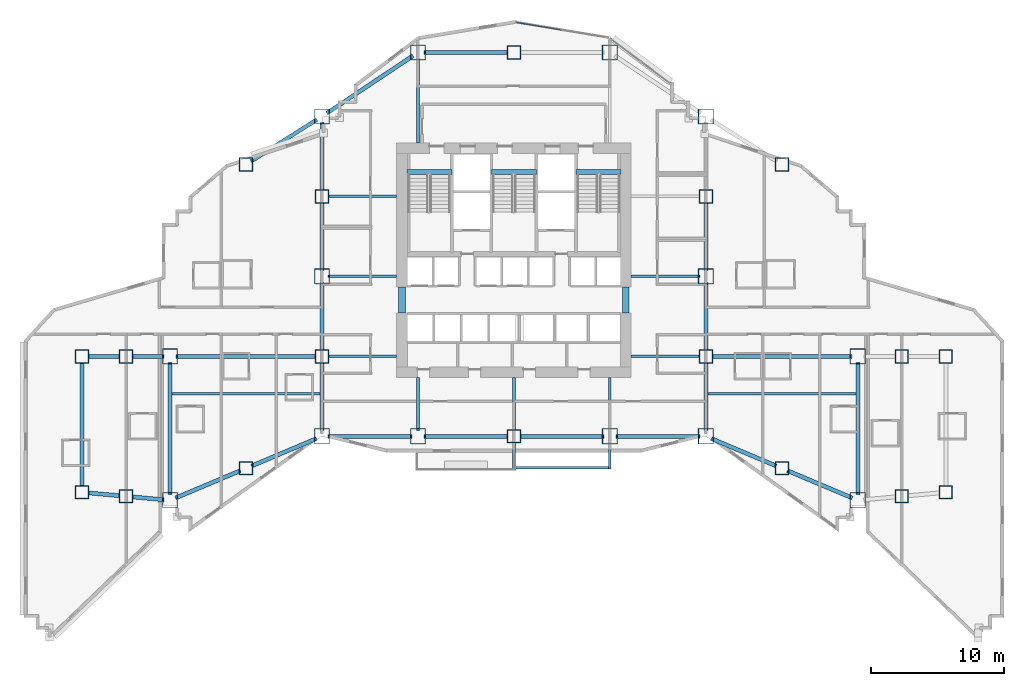
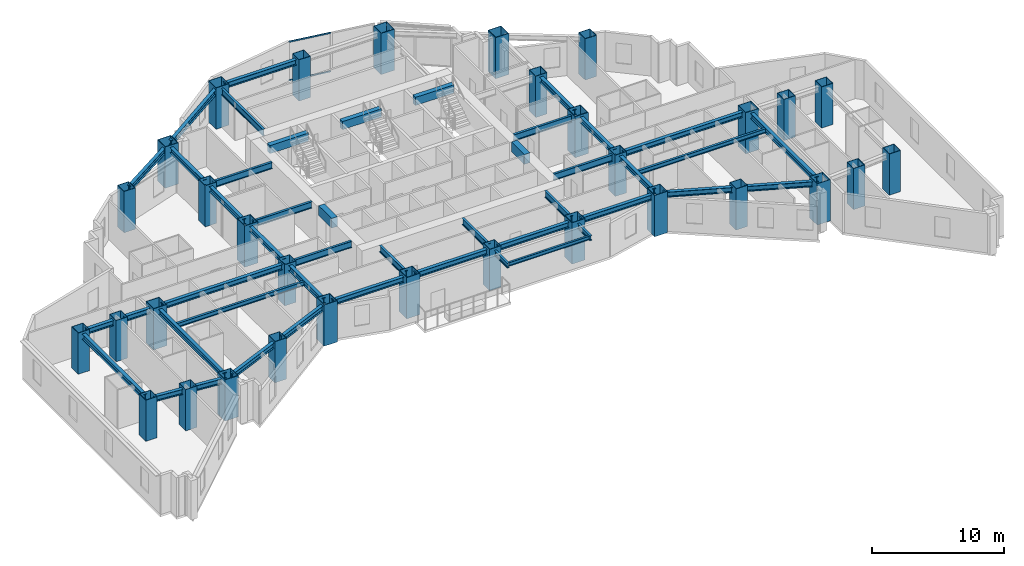
# One storey, part 1 of 17: 46 beams, 32 columns, 2 members, 1 element without a shape of its own.
"""IFC4 building model written with IfcOpenShell, lengths in metres."""

from ifc_helpers import new_model, si_unit, direction, frame, origin, origin_2d, place, context, subcontext, project, spatial, rectangle, hollow_rectangle, i_section, extrude, material, layer, layer_set, material_profile, profile_set, type_object, element, aggregate, save


model = new_model("IFC4")

# Units and contexts
model_context = context("Model", 3, precision=1e-05, world=origin(), true_north=direction((0.0, 1.0)))
body_context = subcontext(model_context, "Body", "Model", "MODEL_VIEW")
ifc_project = project(units=[si_unit("LENGTHUNIT", "METRE"), si_unit("AREAUNIT", "SQUARE_METRE"), si_unit("VOLUMEUNIT", "CUBIC_METRE"), si_unit("PLANEANGLEUNIT", "RADIAN"), si_unit("MASSUNIT", "GRAM", prefix="KILO")], contexts=[model_context])

# Site, building, storey
site_placement = place(None, origin())
site = spatial("IfcSite", under=ifc_project, at=site_placement, CompositionType="ELEMENT")
building_placement = place(site_placement, origin())
building = spatial("IfcBuilding", under=site, at=building_placement, Name="Haolan Belvedere Tower", CompositionType="ELEMENT")
storey_placement = place(building_placement, frame((0.0, 0.0, 55.199951171875)))
storey = spatial("IfcBuildingStorey", under=building, at=storey_placement, Name="L13", CompositionType="ELEMENT", Elevation=55.199951171875)

# Columns
ifc_material_1 = material(Name="Steel Q420GJC", Category="steel")
ifc_material_profile_1 = material_profile(ifc_material_1, hollow_rectangle(XDim=1.0, YDim=1.0, WallThickness=0.0380859375, at=origin_2d()), Name="Steel Q420GJC")
ifc_profile_set_1 = profile_set([ifc_material_profile_1], Name="Steel Q420GJC")
column_type_1 = type_object("IfcColumnType", Name="COL-BOX1000x1000x38", PredefinedType="COLUMN", material=ifc_profile_set_1)
for number, where, z_axis, x_axis, name in (
    (1, (6.0, 17.39990234375, 0.0), (0.0, 0.0, 1.0), (1.0, 0.0, 0.0), "L13 column MC-T1-SW (BOX1000x1000x38)"),
    (2, (6.0, 27.60009765625, 0.0), (0.0, 0.0, 1.0), (1.0, 0.0, 0.0), "L13 column MC-T1-NW (BOX1000x1000x38)"),
    (3, (70.800048828125, 17.39990234375, 0.0), (0.0, 0.0, 1.0), (1.0, 0.0, 0.0), "L13 column MC-T5-SE (BOX1000x1000x38)"),
    (4, (70.800048828125, 27.60009765625, 0.0), (0.0, 0.0, 1.0), (1.0, 0.0, 0.0), "L13 column MC-T5-NE (BOX1000x1000x38)"),
    (5, (24.0, 27.60009765625, 0.0), (0.0, 0.0, 1.0), (1.0, 0.0, 0.0), "L13 column TC-T3-W1 (BOX1000x1000x38)"),
    (6, (24.0, 39.60009765625, 0.0), (0.0, 0.0, 1.0), (1.0, 0.0, 0.0), "L13 column TC-T3-W2 (BOX1000x1000x38)"),
    (7, (52.800048828125, 27.60009765625, 0.0), (0.0, 0.0, 1.0), (1.0, 0.0, 0.0), "L13 column TC-T3-E1 (BOX1000x1000x38)"),
    (8, (52.800048828125, 39.60009765625, 0.0), (0.0, 0.0, 1.0), (1.0, 0.0, 0.0), "L13 column TC-T3-E2 (BOX1000x1000x38)"),
    (9, (38.39990234375, 21.60009765625, 0.0), (0.0, 0.0, 1.0), (1.0, 0.0, 0.0), "L13 column TC-T3-SM (BOX1000x1000x38)"),
    (10, (38.39990234375, 50.39990234375, 0.0), (0.0, 0.0, 1.0), (1.0, 0.0, 0.0), "L13 column TC-T3-NM (BOX1000x1000x38)"),
    (11, (18.300048828125, 19.199951171875, 0.0), (0.0, 0.0, 1.0), (1.0, 0.0, 0.0), "L13 column TC-T2-S1 (BOX1000x1000x38)"),
    (12, (18.300048828125, 42.0, 0.0), (0.0, 0.0, 1.0), (1.0, 0.0, 0.0), "L13 column TC-T2-N1 (BOX1000x1000x38)"),
    (13, (58.5, 19.199951171875, 0.0), (0.0, 0.0, 1.0), (1.0, 0.0, 0.0), "L13 column TC-T4-S1 (BOX1000x1000x38)"),
    (14, (58.5, 42.0, 0.0), (0.0, 0.0, 1.0), (1.0, 0.0, 0.0), "L13 column TC-T4-N1 (BOX1000x1000x38)"),
    (15, (9.300048828125, 17.10009765625, 0.0), (0.0, 0.0, 1.0), (1.0, 0.0, 0.0), "L13 column TC-T1-M1 (BOX1000x1000x38)"),
    (16, (9.300048828125, 27.60009765625, 0.0), (0.0, 0.0, 1.0), (1.0, 0.0, 0.0), "L13 column TC-T1-M2 (BOX1000x1000x38)"),
    (17, (67.5, 17.10009765625, 0.0), (0.0, 0.0, 1.0), (1.0, 0.0, 0.0), "L13 column TC-T5-M1 (BOX1000x1000x38)"),
    (18, (67.5, 27.60009765625, 0.0), (0.0, 0.0, 1.0), (1.0, 0.0, 0.0), "L13 column TC-T5-M2 (BOX1000x1000x38)"),
):
    element("IfcColumn", number, at=place(storey_placement, frame(where, z_axis=z_axis, x_axis=x_axis)), inside=storey, type_object=column_type_1, Name=name, PredefinedType="COLUMN", context=body_context, shape_type="SweptSolid", body=[
        extrude(hollow_rectangle(XDim=1.0, YDim=1.0, WallThickness=0.0380859375, at=origin_2d()), origin(), (0.0, 0.0, 1.0), 3.800048828125),
    ])
ifc_material_2 = material(Name="Steel Q355B", Category="steel")
ifc_material_profile_2 = material_profile(ifc_material_2, hollow_rectangle(XDim=1.14990234375, YDim=1.14990234375, WallThickness=0.0419921875, at=origin_2d()), Name="Steel Q355B")
ifc_profile_set_2 = profile_set([ifc_material_profile_2], Name="Steel Q355B")
column_type_2 = type_object("IfcColumnType", Name="COL-BOX1150x1150x42", PredefinedType="COLUMN", material=ifc_profile_set_2)
for number, where, z_axis, x_axis, name in (
    (19, (24.0, 21.60009765625, 0.0), (0.0, 0.0, 1.0), (1.0, 0.0, 0.0), "L13 column MC-T3-SW (BOX1150x1150x42)"),
    (20, (24.0, 33.60009765625, 0.0), (0.0, 0.0, 1.0), (1.0, 0.0, 0.0), "L13 column MC-T3-MW (BOX1150x1150x42)"),
    (21, (24.0, 45.60009765625, 0.0), (0.0, 0.0, 1.0), (1.0, 0.0, 0.0), "L13 column MC-T3-NW (BOX1150x1150x42)"),
    (22, (52.800048828125, 21.60009765625, 0.0), (0.0, 0.0, 1.0), (1.0, 0.0, 0.0), "L13 column MC-T3-SE (BOX1150x1150x42)"),
    (23, (52.800048828125, 33.60009765625, 0.0), (0.0, 0.0, 1.0), (1.0, 0.0, 0.0), "L13 column MC-T3-ME (BOX1150x1150x42)"),
    (24, (52.800048828125, 45.60009765625, 0.0), (0.0, 0.0, 1.0), (1.0, 0.0, 0.0), "L13 column MC-T3-NE (BOX1150x1150x42)"),
    (25, (31.199951171875, 21.60009765625, 0.0), (0.0, 0.0, 1.0), (1.0, 0.0, 0.0), "L13 column MC-T3-S1 (BOX1150x1150x42)"),
    (26, (45.60009765625, 21.60009765625, 0.0), (0.0, 0.0, 1.0), (1.0, 0.0, 0.0), "L13 column MC-T3-S2 (BOX1150x1150x42)"),
    (27, (31.199951171875, 50.39990234375, 0.0), (0.0, 0.0, 1.0), (1.0, 0.0, 0.0), "L13 column MC-T3-N1 (BOX1150x1150x42)"),
    (28, (45.60009765625, 50.39990234375, 0.0), (0.0, 0.0, 1.0), (1.0, 0.0, 0.0), "L13 column MC-T3-N2 (BOX1150x1150x42)"),
    (29, (12.60009765625, 16.800048828125, 0.0), (0.0, 0.0, 1.0), (1.0, 0.0, 0.0), "L13 column MC-T2-SW (BOX1150x1150x42)"),
    (30, (12.60009765625, 27.60009765625, 0.0), (0.0, 0.0, 1.0), (1.0, 0.0, 0.0), "L13 column MC-T2-MW (BOX1150x1150x42)"),
    (31, (64.199951171875, 16.800048828125, 0.0), (0.0, 0.0, 1.0), (1.0, 0.0, 0.0), "L13 column MC-T4-SE (BOX1150x1150x42)"),
    (32, (64.199951171875, 27.60009765625, 0.0), (0.0, 0.0, 1.0), (1.0, 0.0, 0.0), "L13 column MC-T4-ME (BOX1150x1150x42)"),
):
    element("IfcColumn", number, at=place(storey_placement, frame(where, z_axis=z_axis, x_axis=x_axis)), inside=storey, type_object=column_type_2, Name=name, PredefinedType="COLUMN", context=body_context, shape_type="SweptSolid", body=[
        extrude(hollow_rectangle(XDim=1.14990234375, YDim=1.14990234375, WallThickness=0.0419921875, at=origin_2d()), origin(), (0.0, 0.0, 1.0), 3.800048828125),
    ])

# Beams
ifc_material_profile_3 = material_profile(ifc_material_2, i_section(OverallWidth=0.300048828125, OverallDepth=0.488037109375, WebThickness=0.010986328125, FlangeThickness=0.01806640625, FilletRadius=0.02587890625, at=origin_2d()), Name="Steel Q355B")
ifc_profile_set_3 = profile_set([ifc_material_profile_3], Name="Steel Q355B")
beam_type_1 = type_object("IfcBeamType", Name="BM-HM488x300x11x18", PredefinedType="SPANDREL", material=ifc_profile_set_3)
for number, where, z_axis, x_axis, name in (
    (33, (24.0, 22.050048828125, 3.35595703125), (0.0, 1.0, 0.0), (-1.0, 0.0, 0.0), "L13 spandrel girder MC-T3-SW-TC-T3-W1"),
    (34, (24.0, 28.050048828125, 3.35595703125), (0.0, 1.0, 0.0), (-1.0, 0.0, 0.0), "L13 spandrel girder TC-T3-W1-MC-T3-MW"),
    (35, (24.0, 34.050048828125, 3.35595703125), (0.0, 1.0, 0.0), (-1.0, 0.0, 0.0), "L13 spandrel girder MC-T3-MW-TC-T3-W2"),
    (36, (24.0, 40.050048828125, 3.35595703125), (0.0, 1.0, 0.0), (-1.0, 0.0, 0.0), "L13 spandrel girder TC-T3-W2-MC-T3-NW"),
    (37, (52.800048828125, 22.050048828125, 3.35595703125), (0.0, 1.0, 0.0), (-1.0, 0.0, 0.0), "L13 spandrel girder MC-T3-SE-TC-T3-E1"),
    (38, (52.800048828125, 28.050048828125, 3.35595703125), (0.0, 1.0, 0.0), (-1.0, 0.0, 0.0), "L13 spandrel girder TC-T3-E1-MC-T3-ME"),
    (39, (52.800048828125, 34.050048828125, 3.35595703125), (0.0, 1.0, 0.0), (-1.0, 0.0, 0.0), "L13 spandrel girder MC-T3-ME-TC-T3-E2"),
):
    element("IfcBeam", number, at=place(storey_placement, frame(where, z_axis=z_axis, x_axis=x_axis)), inside=storey, type_object=beam_type_1, Name=name, PredefinedType="SPANDREL", context=body_context, shape_type="SweptSolid", body=[
        extrude(i_section(OverallWidth=0.300048828125, OverallDepth=0.488037109375, WebThickness=0.010986328125, FlangeThickness=0.01806640625, FilletRadius=0.02587890625, at=origin_2d()), origin(), (0.0, 0.0, 1.0), 5.099853515625),
    ])
for number, where, z_axis, x_axis, name in (
    (40, (24.449951171875, 21.60009765625, 3.35595703125), (1.0, 0.0, 0.0), (0.0, 1.0, 0.0), "L13 spandrel girder MC-T3-SW-MC-T3-S1"),
    (41, (31.64990234375, 21.60009765625, 3.35595703125), (1.0, 0.0, 0.0), (0.0, 1.0, 0.0), "L13 spandrel girder MC-T3-S1-TC-T3-SM"),
):
    element("IfcBeam", number, at=place(storey_placement, frame(where, z_axis=z_axis, x_axis=x_axis)), inside=storey, type_object=beam_type_1, Name=name, PredefinedType="SPANDREL", context=body_context, shape_type="SweptSolid", body=[
        extrude(i_section(OverallWidth=0.300048828125, OverallDepth=0.488037109375, WebThickness=0.010986328125, FlangeThickness=0.01806640625, FilletRadius=0.02587890625, at=origin_2d()), origin(), (0.0, 0.0, 1.0), 6.300048828125),
    ])
beam_1_placement = place(storey_placement, frame((38.85009765625, 21.60009765625, 3.35595703125), z_axis=(1.0, 0.0, 0.0), x_axis=(0.0, 1.0, 0.0)))
element("IfcBeam", 42, at=beam_1_placement, inside=storey, type_object=beam_type_1, Name="L13 spandrel girder TC-T3-SM-MC-T3-S2", PredefinedType="SPANDREL", context=body_context, shape_type="SweptSolid", body=[
    extrude(i_section(OverallWidth=0.300048828125, OverallDepth=0.488037109375, WebThickness=0.010986328125, FlangeThickness=0.01806640625, FilletRadius=0.02587890625, at=origin_2d()), origin(), (0.0, 0.0, 1.0), 6.2998046875),
])
beam_2_placement = place(storey_placement, frame((46.050048828125, 21.60009765625, 3.35595703125), z_axis=(1.0, 0.0, 0.0), x_axis=(0.0, 1.0, 0.0)))
element("IfcBeam", 43, at=beam_2_placement, inside=storey, type_object=beam_type_1, Name="L13 spandrel girder MC-T3-S2-MC-T3-SE", PredefinedType="SPANDREL", context=body_context, shape_type="SweptSolid", body=[
    extrude(i_section(OverallWidth=0.300048828125, OverallDepth=0.488037109375, WebThickness=0.010986328125, FlangeThickness=0.01806640625, FilletRadius=0.02587890625, at=origin_2d()), origin(), (0.0, 0.0, 1.0), 6.300048828125),
])
beam_3_placement = place(storey_placement, frame((24.37451171875, 45.849609375, 3.35595703125), z_axis=(0.832050294338, 0.554700196225, 0.0), x_axis=(-0.554700196225, 0.832050294338, 0.0)))
element("IfcBeam", 44, at=beam_3_placement, inside=storey, type_object=beam_type_1, Name="L13 spandrel girder MC-T3-NW-MC-T3-N1", PredefinedType="SPANDREL", context=body_context, shape_type="SweptSolid", body=[
    extrude(i_section(OverallWidth=0.300048828125, OverallDepth=0.488037109375, WebThickness=0.010986328125, FlangeThickness=0.01806640625, FilletRadius=0.02587890625, at=origin_2d()), origin(), (0.0, 0.0, 1.0), 7.75341796875),
])
beam_4_placement = place(storey_placement, frame((31.64990234375, 50.39990234375, 3.35595703125), z_axis=(1.0, 0.0, 0.0), x_axis=(0.0, 1.0, 0.0)))
element("IfcBeam", 45, at=beam_4_placement, inside=storey, type_object=beam_type_1, Name="L13 spandrel girder MC-T3-N1-TC-T3-NM", PredefinedType="SPANDREL", context=body_context, shape_type="SweptSolid", body=[
    extrude(i_section(OverallWidth=0.300048828125, OverallDepth=0.488037109375, WebThickness=0.010986328125, FlangeThickness=0.01806640625, FilletRadius=0.02587890625, at=origin_2d()), origin(), (0.0, 0.0, 1.0), 6.300048828125),
])
beam_5_placement = place(storey_placement, frame((12.60009765625, 17.25, 3.35595703125), z_axis=(0.0, 1.0, 0.0), x_axis=(-1.0, 0.0, 0.0)))
element("IfcBeam", 46, at=beam_5_placement, inside=storey, type_object=beam_type_1, Name="L13 spandrel girder MC-T2-SW-MC-T2-MW", PredefinedType="SPANDREL", context=body_context, shape_type="SweptSolid", body=[
    extrude(i_section(OverallWidth=0.300048828125, OverallDepth=0.488037109375, WebThickness=0.010986328125, FlangeThickness=0.01806640625, FilletRadius=0.02587890625, at=origin_2d()), origin(), (0.0, 0.0, 1.0), 9.89990234375),
])
beam_6_placement = place(storey_placement, frame((13.0146484375, 16.974609375, 3.35595703125), z_axis=(0.921635375138, 0.388057000058, 0.0), x_axis=(-0.388057000058, 0.921635375138, 0.0)))
element("IfcBeam", 47, at=beam_6_placement, inside=storey, type_object=beam_type_1, Name="L13 spandrel girder MC-T2-SW-TC-T2-S1", PredefinedType="SPANDREL", context=body_context, shape_type="SweptSolid", body=[
    extrude(i_section(OverallWidth=0.300048828125, OverallDepth=0.488037109375, WebThickness=0.010986328125, FlangeThickness=0.01806640625, FilletRadius=0.02587890625, at=origin_2d()), origin(), (0.0, 0.0, 1.0), 5.28466796875),
])
beam_7_placement = place(storey_placement, frame((18.71484375, 19.37451171875, 3.35595703125), z_axis=(0.92162841793, 0.388073523014, 0.0), x_axis=(-0.388073523014, 0.92162841793, 0.0)))
element("IfcBeam", 48, at=beam_7_placement, inside=storey, type_object=beam_type_1, Name="L13 spandrel girder TC-T2-S1-MC-T3-SW", PredefinedType="SPANDREL", context=body_context, shape_type="SweptSolid", body=[
    extrude(i_section(OverallWidth=0.300048828125, OverallDepth=0.488037109375, WebThickness=0.010986328125, FlangeThickness=0.01806640625, FilletRadius=0.02587890625, at=origin_2d()), origin(), (0.0, 0.0, 1.0), 5.284423828125),
])
beam_8_placement = place(storey_placement, frame((18.680419921875, 42.240234375, 3.35595703125), z_axis=(0.845497840649, 0.533978839898, 0.0), x_axis=(-0.533978839898, 0.845497840649, 0.0)))
element("IfcBeam", 49, at=beam_8_placement, inside=storey, type_object=beam_type_1, Name="L13 spandrel girder TC-T2-N1-MC-T3-NW", PredefinedType="SPANDREL", context=body_context, shape_type="SweptSolid", body=[
    extrude(i_section(OverallWidth=0.300048828125, OverallDepth=0.488037109375, WebThickness=0.010986328125, FlangeThickness=0.01806640625, FilletRadius=0.02587890625, at=origin_2d()), origin(), (0.0, 0.0, 1.0), 5.841796875),
])
beam_9_placement = place(storey_placement, frame((13.050048828125, 27.60009765625, 3.35595703125), z_axis=(1.0, 0.0, 0.0), x_axis=(0.0, 1.0, 0.0)))
element("IfcBeam", 50, at=beam_9_placement, inside=storey, type_object=beam_type_1, Name="L13 spandrel girder MC-T2-MW-TC-T3-W1", PredefinedType="SPANDREL", context=body_context, shape_type="SweptSolid", body=[
    extrude(i_section(OverallWidth=0.300048828125, OverallDepth=0.488037109375, WebThickness=0.010986328125, FlangeThickness=0.01806640625, FilletRadius=0.02587890625, at=origin_2d()), origin(), (0.0, 0.0, 1.0), 10.5),
])
beam_10_placement = place(storey_placement, frame((64.199951171875, 17.25, 3.35595703125), z_axis=(0.0, 1.0, 0.0), x_axis=(-1.0, 0.0, 0.0)))
element("IfcBeam", 51, at=beam_10_placement, inside=storey, type_object=beam_type_1, Name="L13 spandrel girder MC-T4-SE-MC-T4-ME", PredefinedType="SPANDREL", context=body_context, shape_type="SweptSolid", body=[
    extrude(i_section(OverallWidth=0.300048828125, OverallDepth=0.488037109375, WebThickness=0.010986328125, FlangeThickness=0.01806640625, FilletRadius=0.02587890625, at=origin_2d()), origin(), (0.0, 0.0, 1.0), 9.89990234375),
])
for number, where, z_axis, x_axis, name in (
    (52, (53.21484375, 21.42529296875, 3.35595703125), (0.92162841793, -0.388073523014, 0.0), (0.388073523014, 0.92162841793, 0.0), "L13 spandrel girder MC-T3-SE-TC-T4-S1"),
    (53, (58.914794921875, 19.025390625, 3.35595703125), (0.92162841793, -0.388073523014, 0.0), (0.388073523014, 0.92162841793, 0.0), "L13 spandrel girder TC-T4-S1-MC-T4-SE"),
):
    element("IfcBeam", number, at=place(storey_placement, frame(where, z_axis=z_axis, x_axis=x_axis)), inside=storey, type_object=beam_type_1, Name=name, PredefinedType="SPANDREL", context=body_context, shape_type="SweptSolid", body=[
        extrude(i_section(OverallWidth=0.300048828125, OverallDepth=0.488037109375, WebThickness=0.010986328125, FlangeThickness=0.01806640625, FilletRadius=0.02587890625, at=origin_2d()), origin(), (0.0, 0.0, 1.0), 5.284423828125),
    ])
beam_11_placement = place(storey_placement, frame((53.25, 27.60009765625, 3.35595703125), z_axis=(1.0, 0.0, 0.0), x_axis=(0.0, 1.0, 0.0)))
element("IfcBeam", 54, at=beam_11_placement, inside=storey, type_object=beam_type_1, Name="L13 spandrel girder TC-T3-E1-MC-T4-ME", PredefinedType="SPANDREL", context=body_context, shape_type="SweptSolid", body=[
    extrude(i_section(OverallWidth=0.300048828125, OverallDepth=0.488037109375, WebThickness=0.010986328125, FlangeThickness=0.01806640625, FilletRadius=0.02587890625, at=origin_2d()), origin(), (0.0, 0.0, 1.0), 10.5),
])
beam_12_placement = place(storey_placement, frame((6.0, 17.85009765625, 3.35595703125), z_axis=(0.0, 1.0, 0.0), x_axis=(-1.0, 0.0, 0.0)))
element("IfcBeam", 55, at=beam_12_placement, inside=storey, type_object=beam_type_1, Name="L13 spandrel girder MC-T1-SW-MC-T1-NW", PredefinedType="SPANDREL", context=body_context, shape_type="SweptSolid", body=[
    extrude(i_section(OverallWidth=0.300048828125, OverallDepth=0.488037109375, WebThickness=0.010986328125, FlangeThickness=0.01806640625, FilletRadius=0.02587890625, at=origin_2d()), origin(), (0.0, 0.0, 1.0), 9.2998046875),
])
beam_13_placement = place(storey_placement, frame((6.4482421875, 17.359375, 3.35595703125), z_axis=(0.995884080761, -0.090636072764, 0.0), x_axis=(0.090636072764, 0.995884080761, 0.0)))
element("IfcBeam", 56, at=beam_13_placement, inside=storey, type_object=beam_type_1, Name="L13 spandrel girder MC-T1-SW-TC-T1-M1", PredefinedType="SPANDREL", context=body_context, shape_type="SweptSolid", body=[
    extrude(i_section(OverallWidth=0.300048828125, OverallDepth=0.488037109375, WebThickness=0.010986328125, FlangeThickness=0.01806640625, FilletRadius=0.02587890625, at=origin_2d()), origin(), (0.0, 0.0, 1.0), 2.41357421875),
])
beam_14_placement = place(storey_placement, frame((9.748046875, 17.059326171875, 3.35595703125), z_axis=(0.9958940355, -0.090526626221, 0.0), x_axis=(0.090526626221, 0.9958940355, 0.0)))
element("IfcBeam", 57, at=beam_14_placement, inside=storey, type_object=beam_type_1, Name="L13 spandrel girder TC-T1-M1-MC-T2-SW", PredefinedType="SPANDREL", context=body_context, shape_type="SweptSolid", body=[
    extrude(i_section(OverallWidth=0.300048828125, OverallDepth=0.488037109375, WebThickness=0.010986328125, FlangeThickness=0.01806640625, FilletRadius=0.02587890625, at=origin_2d()), origin(), (0.0, 0.0, 1.0), 2.413818359375),
])
beam_15_placement = place(storey_placement, frame((6.449951171875, 27.60009765625, 3.35595703125), z_axis=(1.0, 0.0, 0.0), x_axis=(0.0, 1.0, 0.0)))
element("IfcBeam", 58, at=beam_15_placement, inside=storey, type_object=beam_type_1, Name="L13 spandrel girder MC-T1-NW-TC-T1-M2", PredefinedType="SPANDREL", context=body_context, shape_type="SweptSolid", body=[
    extrude(i_section(OverallWidth=0.300048828125, OverallDepth=0.488037109375, WebThickness=0.010986328125, FlangeThickness=0.01806640625, FilletRadius=0.02587890625, at=origin_2d()), origin(), (0.0, 0.0, 1.0), 2.400146484375),
])
beam_16_placement = place(storey_placement, frame((9.75, 27.60009765625, 3.35595703125), z_axis=(1.0, 0.0, 0.0), x_axis=(0.0, 1.0, 0.0)))
element("IfcBeam", 59, at=beam_16_placement, inside=storey, type_object=beam_type_1, Name="L13 spandrel girder TC-T1-M2-MC-T2-MW", PredefinedType="SPANDREL", context=body_context, shape_type="SweptSolid", body=[
    extrude(i_section(OverallWidth=0.300048828125, OverallDepth=0.488037109375, WebThickness=0.010986328125, FlangeThickness=0.01806640625, FilletRadius=0.02587890625, at=origin_2d()), origin(), (0.0, 0.0, 1.0), 2.39990234375),
])
ifc_material_profile_4 = material_profile(ifc_material_2, i_section(OverallWidth=0.175048828125, OverallDepth=0.35009765625, WebThickness=0.007080078125, FlangeThickness=0.010986328125, FilletRadius=0.012939453125, at=origin_2d()), Name="Steel Q355B")
ifc_profile_set_4 = profile_set([ifc_material_profile_4], Name="Steel Q355B")
beam_type_2 = type_object("IfcBeamType", Name="BM-HN350x175x7x11", PredefinedType="JOIST", material=ifc_profile_set_4)
beam_17_placement = place(storey_placement, frame((38.5, 19.239990234375, 3.39501953125), z_axis=(1.0, 0.0, 0.0), x_axis=(0.0, 1.0, 0.0)))
element("IfcBeam", 60, at=beam_17_placement, inside=storey, type_object=beam_type_2, Name="L14 tree-balcony front trimmer beam 1", PredefinedType="BEAM", context=body_context, shape_type="SweptSolid", body=[
    extrude(i_section(OverallWidth=0.175048828125, OverallDepth=0.35009765625, WebThickness=0.007080078125, FlangeThickness=0.010986328125, FilletRadius=0.012939453125, at=origin_2d()), origin(), (0.0, 0.0, 1.0), 7.0),
])
ifc_material_profile_5 = material_profile(ifc_material_2, i_section(OverallWidth=0.199951171875, OverallDepth=0.39990234375, WebThickness=0.008056640625, FlangeThickness=0.012939453125, FilletRadius=0.01611328125, at=origin_2d()), Name="Steel Q355B")
ifc_profile_set_5 = profile_set([ifc_material_profile_5], Name="Steel Q355B")
beam_type_3 = type_object("IfcBeamType", Name="BM-HN400x200x8x13", PredefinedType="JOIST", material=ifc_profile_set_5)
for number, where, z_axis, x_axis, name in (
    (61, (12.75, 24.800048828125, 3.400146484375), (1.0, 0.0, 0.0), (0.0, 1.0, 0.0), "L13 west wing floor joist 1"),
    (62, (52.949951171875, 24.800048828125, 3.400146484375), (1.0, 0.0, 0.0), (0.0, 1.0, 0.0), "L13 east wing floor joist 1"),
):
    element("IfcBeam", number, at=place(storey_placement, frame(where, z_axis=z_axis, x_axis=x_axis)), inside=storey, type_object=beam_type_3, Name=name, PredefinedType="JOIST", context=body_context, shape_type="SweptSolid", body=[
        extrude(i_section(OverallWidth=0.199951171875, OverallDepth=0.39990234375, WebThickness=0.008056640625, FlangeThickness=0.012939453125, FilletRadius=0.01611328125, at=origin_2d()), origin(), (0.0, 0.0, 1.0), 11.10009765625),
    ])
ifc_material_profile_6 = material_profile(ifc_material_2, i_section(OverallWidth=0.199951171875, OverallDepth=0.449951171875, WebThickness=0.009033203125, FlangeThickness=0.013916015625, FilletRadius=0.01611328125, at=origin_2d()), Name="Steel Q355B")
ifc_profile_set_6 = profile_set([ifc_material_profile_6], Name="Steel Q355B")
beam_type_4 = type_object("IfcBeamType", Name="BM-HN450x200x9x14", PredefinedType="BEAM", material=ifc_profile_set_6)
beam_18_placement = place(storey_placement, frame((38.39990234375, 21.10009765625, 3.344970703125), z_axis=(0.0, -1.0, 0.0), x_axis=(1.0, 0.0, 0.0)))
element("IfcBeam", 63, at=beam_18_placement, inside=storey, type_object=beam_type_4, Name="L14 tree-balcony column cantilever TC-T3-SM", PredefinedType="BEAM", context=body_context, shape_type="SweptSolid", body=[
    extrude(i_section(OverallWidth=0.199951171875, OverallDepth=0.449951171875, WebThickness=0.009033203125, FlangeThickness=0.013916015625, FilletRadius=0.01611328125, at=origin_2d()), origin(), (0.0, 0.0, 1.0), 1.960205078125),
])
beam_19_placement = place(storey_placement, frame((45.60009765625, 21.02490234375, 3.344970703125), z_axis=(0.0, -1.0, 0.0), x_axis=(1.0, 0.0, 0.0)))
element("IfcBeam", 64, at=beam_19_placement, inside=storey, type_object=beam_type_4, Name="L14 tree-balcony column cantilever MC-T3-S2", PredefinedType="BEAM", context=body_context, shape_type="SweptSolid", body=[
    extrude(i_section(OverallWidth=0.199951171875, OverallDepth=0.449951171875, WebThickness=0.009033203125, FlangeThickness=0.013916015625, FilletRadius=0.01611328125, at=origin_2d()), origin(), (0.0, 0.0, 1.0), 1.885009765625),
])
ifc_material_profile_7 = material_profile(ifc_material_2, i_section(OverallWidth=0.199951171875, OverallDepth=0.60009765625, WebThickness=0.010986328125, FlangeThickness=0.01708984375, FilletRadius=0.02197265625, at=origin_2d()), Name="Steel Q355B")
ifc_profile_set_7 = profile_set([ifc_material_profile_7], Name="Steel Q355B")
beam_type_5 = type_object("IfcBeamType", Name="BM-HN600x200x11x17", PredefinedType="BEAM", material=ifc_profile_set_7)
for number, where, z_axis, x_axis, name in (
    (65, (24.449951171875, 33.60009765625, 3.300048828125), (1.0, 0.0, 0.0), (0.0, 1.0, 0.0), "L13 core tie beam from MC-T3-MW"),
    (66, (24.449951171875, 27.60009765625, 3.300048828125), (1.0, 0.0, 0.0), (0.0, 1.0, 0.0), "L13 core tie beam from TC-T3-W1"),
    (67, (24.449951171875, 39.60009765625, 3.300048828125), (1.0, 0.0, 0.0), (0.0, 1.0, 0.0), "L13 core tie beam from TC-T3-W2"),
    (68, (52.35009765625, 33.60009765625, 3.300048828125), (-1.0, 0.0, 0.0), (0.0, -1.0, 0.0), "L13 core tie beam from MC-T3-ME"),
    (69, (52.35009765625, 27.60009765625, 3.300048828125), (-1.0, 0.0, 0.0), (0.0, -1.0, 0.0), "L13 core tie beam from TC-T3-E1"),
):
    element("IfcBeam", number, at=place(storey_placement, frame(where, z_axis=z_axis, x_axis=x_axis)), inside=storey, type_object=beam_type_5, Name=name, PredefinedType="BEAM", context=body_context, shape_type="SweptSolid", body=[
        extrude(i_section(OverallWidth=0.199951171875, OverallDepth=0.60009765625, WebThickness=0.010986328125, FlangeThickness=0.01708984375, FilletRadius=0.02197265625, at=origin_2d()), origin(), (0.0, 0.0, 1.0), 5.150146484375),
    ])
for number, where, z_axis, x_axis, name in (
    (70, (31.199951171875, 22.050048828125, 3.300048828125), (0.0, 1.0, 0.0), (-1.0, 0.0, 0.0), "L13 core tie beam from MC-T3-S1"),
    (71, (38.39990234375, 22.050048828125, 3.300048828125), (0.0, 1.0, 0.0), (-1.0, 0.0, 0.0), "L13 core tie beam from TC-T3-SM"),
    (72, (45.60009765625, 22.050048828125, 3.300048828125), (0.0, 1.0, 0.0), (-1.0, 0.0, 0.0), "L13 core tie beam from MC-T3-S2"),
):
    element("IfcBeam", number, at=place(storey_placement, frame(where, z_axis=z_axis, x_axis=x_axis)), inside=storey, type_object=beam_type_5, Name=name, PredefinedType="BEAM", context=body_context, shape_type="SweptSolid", body=[
        extrude(i_section(OverallWidth=0.199951171875, OverallDepth=0.60009765625, WebThickness=0.010986328125, FlangeThickness=0.01708984375, FilletRadius=0.02197265625, at=origin_2d()), origin(), (0.0, 0.0, 1.0), 3.949951171875),
    ])
beam_20_placement = place(storey_placement, frame((31.199951171875, 49.949951171875, 3.300048828125), z_axis=(0.0, -1.0, 0.0), x_axis=(1.0, 0.0, 0.0)))
element("IfcBeam", 73, at=beam_20_placement, inside=storey, type_object=beam_type_5, Name="L13 core tie beam from MC-T3-N1", PredefinedType="BEAM", context=body_context, shape_type="SweptSolid", body=[
    extrude(i_section(OverallWidth=0.199951171875, OverallDepth=0.60009765625, WebThickness=0.010986328125, FlangeThickness=0.01708984375, FilletRadius=0.02197265625, at=origin_2d()), origin(), (0.0, 0.0, 1.0), 6.349853515625),
])
ifc_material_3 = material(Name="Concrete C50/60", Category="concrete")
ifc_material_profile_8 = material_profile(ifc_material_3, rectangle(XDim=0.39990234375, YDim=0.75, at=origin_2d()), Name="Concrete C50/60")
ifc_profile_set_8 = profile_set([ifc_material_profile_8], Name="Concrete C50/60")
beam_type_6 = type_object("IfcBeamType", Name="BM-RC400x750", PredefinedType="T_BEAM", material=ifc_profile_set_8)
beam_21_placement = place(storey_placement, frame((30.3798828125, 41.429931640625, 3.425048828125), z_axis=(1.0, 0.0, 0.0), x_axis=(0.0, 1.0, 0.0)))
element("IfcBeam", 74, at=beam_21_placement, inside=storey, type_object=beam_type_6, Name="L14 stair ST1 RC header trimmer beam", PredefinedType="BEAM", context=body_context, shape_type="SweptSolid", body=[
    extrude(rectangle(XDim=0.39990234375, YDim=0.75, at=origin_2d()), origin(), (0.0, 0.0, 1.0), 3.360107421875),
])
beam_22_placement = place(storey_placement, frame((36.699951171875, 41.429931640625, 3.425048828125), z_axis=(1.0, 0.0, 0.0), x_axis=(0.0, 1.0, 0.0)))
element("IfcBeam", 75, at=beam_22_placement, inside=storey, type_object=beam_type_6, Name="L14 stair ST3 RC header trimmer beam", PredefinedType="BEAM", context=body_context, shape_type="SweptSolid", body=[
    extrude(rectangle(XDim=0.39990234375, YDim=0.75, at=origin_2d()), origin(), (0.0, 0.0, 1.0), 3.400146484375),
])
beam_23_placement = place(storey_placement, frame((43.06005859375, 41.429931640625, 3.425048828125), z_axis=(1.0, 0.0, 0.0), x_axis=(0.0, 1.0, 0.0)))
element("IfcBeam", 76, at=beam_23_placement, inside=storey, type_object=beam_type_6, Name="L14 stair ST2 RC header trimmer beam", PredefinedType="BEAM", context=body_context, shape_type="SweptSolid", body=[
    extrude(rectangle(XDim=0.39990234375, YDim=0.75, at=origin_2d()), origin(), (0.0, 0.0, 1.0), 3.35986328125),
])
ifc_material_4 = material(Name="Concrete C60/75", Category="concrete")
ifc_material_profile_9 = material_profile(ifc_material_4, rectangle(XDim=0.5, YDim=0.89990234375, at=origin_2d()), Name="Concrete C60/75")
ifc_profile_set_9 = profile_set([ifc_material_profile_9], Name="Concrete C60/75")
beam_type_7 = type_object("IfcBeamType", Name="BM-RC500x900", PredefinedType="LINTEL", material=ifc_profile_set_9)
for number, where, z_axis, x_axis, name in (
    (77, (30.0, 30.85009765625, 3.150146484375), (0.0, 1.0, 0.0), (-1.0, 0.0, 0.0), "L13 west core coupling beam CB-01"),
    (78, (46.800048828125, 30.85009765625, 3.150146484375), (0.0, 1.0, 0.0), (-1.0, 0.0, 0.0), "L13 east core coupling beam CB-01"),
):
    element("IfcBeam", number, at=place(storey_placement, frame(where, z_axis=z_axis, x_axis=x_axis)), inside=storey, type_object=beam_type_7, Name=name, PredefinedType="LINTEL", context=body_context, shape_type="SweptSolid", body=[
        extrude(rectangle(XDim=0.5, YDim=0.89990234375, at=origin_2d()), origin(), (0.0, 0.0, 1.0), 1.949951171875),
    ])

# Curtain wall, members
ifc_material_5 = material(Name="Anodised champagne-silver aluminium 6063-T6 and Low-E glass", Category="aluminium")
ifc_layer = layer(ifc_material_5, 0.1650390625, Name="Anodised champagne-silver aluminium 6063-T6 and Low-E glass")
ifc_layer_set = layer_set([ifc_layer], Name="Anodised champagne-silver aluminium 6063-T6 and Low-E glass")
curtain_wall_type = type_object("IfcCurtainWallType", Name="CW-SYS-02", PredefinedType="NOTDEFINED", material=ifc_layer_set)
curtain_wall_placement = place(storey_placement, origin())
curtain_wall = element("IfcCurtainWall", 79, at=curtain_wall_placement, inside=storey, type_object=curtain_wall_type, Name="L13 CW-SYS-02 ribbon curtain wall 42.1", PredefinedType="NOTDEFINED")
ifc_material_6 = material(Name="Anodised aluminium 6063-T6", Category="aluminium")
ifc_material_profile_10 = material_profile(ifc_material_6, hollow_rectangle(XDim=0.054931640625, YDim=0.1298828125, WallThickness=0.00390625, at=origin_2d()), Name="Anodised aluminium 6063-T6")
ifc_profile_set_10 = profile_set([ifc_material_profile_10], Name="Anodised aluminium 6063-T6")
member_type = type_object("IfcMemberType", Name="CW-SYS-02-TRN", PredefinedType="USERDEFINED", material=ifc_profile_set_10)
member_1_placement = place(storey_placement, frame((41.946044921875, 52.08740234375, 0.027587890625), z_axis=(-0.986395867289, 0.164387326137, 0.0), x_axis=(-0.164387326137, -0.986395867289, 0.0)))
member_1 = element("IfcMember", 80, at=member_1_placement, type_object=member_type, Name="CW-02 transom 2.1", ObjectType="TRANSOM", PredefinedType="USERDEFINED", context=body_context, shape_type="SweptSolid", body=[
    extrude(hollow_rectangle(XDim=0.054931640625, YDim=0.1298828125, WallThickness=0.00390625, at=origin_2d()), origin(), (0.0, 0.0, 1.0), 3.39501953125),
])
member_2_placement = place(storey_placement, frame((41.946044921875, 52.08740234375, 3.572509765625), z_axis=(-0.986395867289, 0.164387326137, 0.0), x_axis=(-0.164387326137, -0.986395867289, 0.0)))
member_2 = element("IfcMember", 81, at=member_2_placement, type_object=member_type, Name="CW-02 transom 2.2", ObjectType="TRANSOM", PredefinedType="USERDEFINED", context=body_context, shape_type="SweptSolid", body=[
    extrude(hollow_rectangle(XDim=0.054931640625, YDim=0.1298828125, WallThickness=0.00390625, at=origin_2d()), origin(), (0.0, 0.0, 1.0), 3.39501953125),
])
aggregate(curtain_wall, [member_1, member_2])

save(model, "model.ifc")
